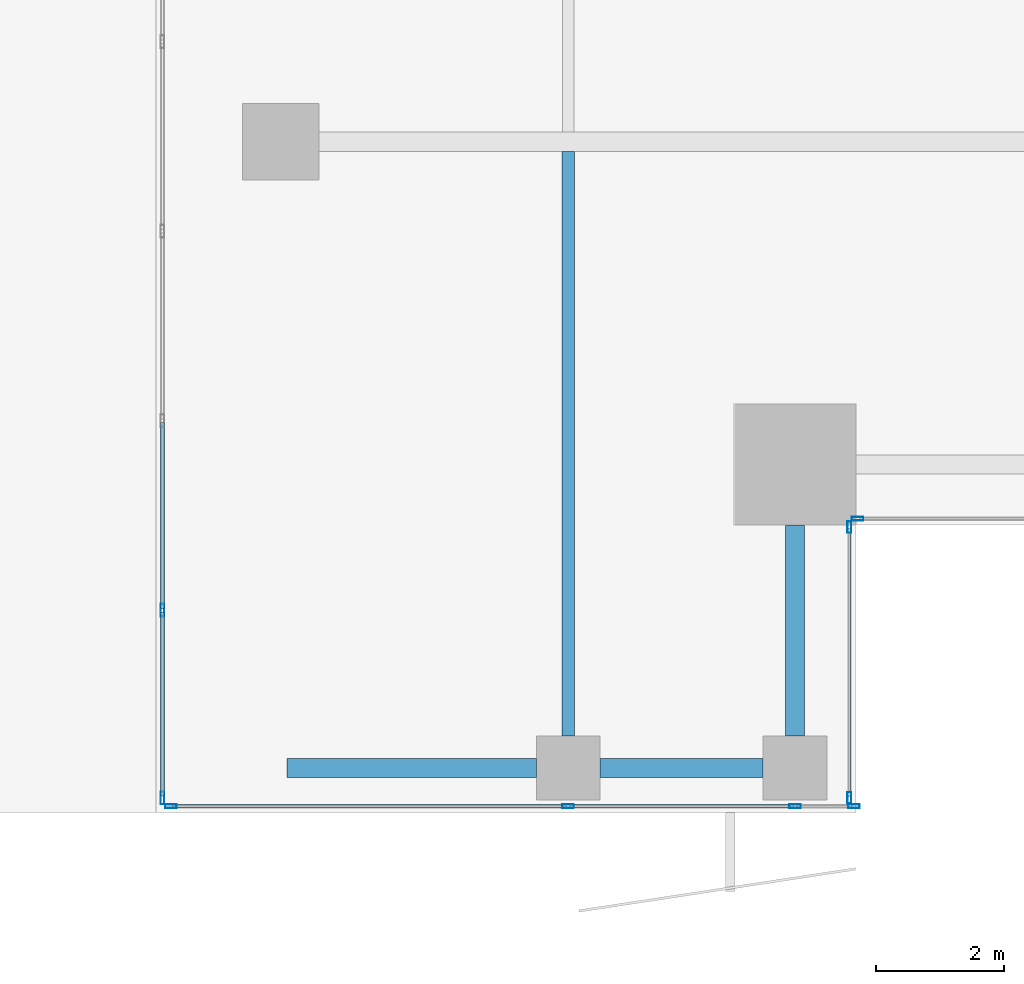
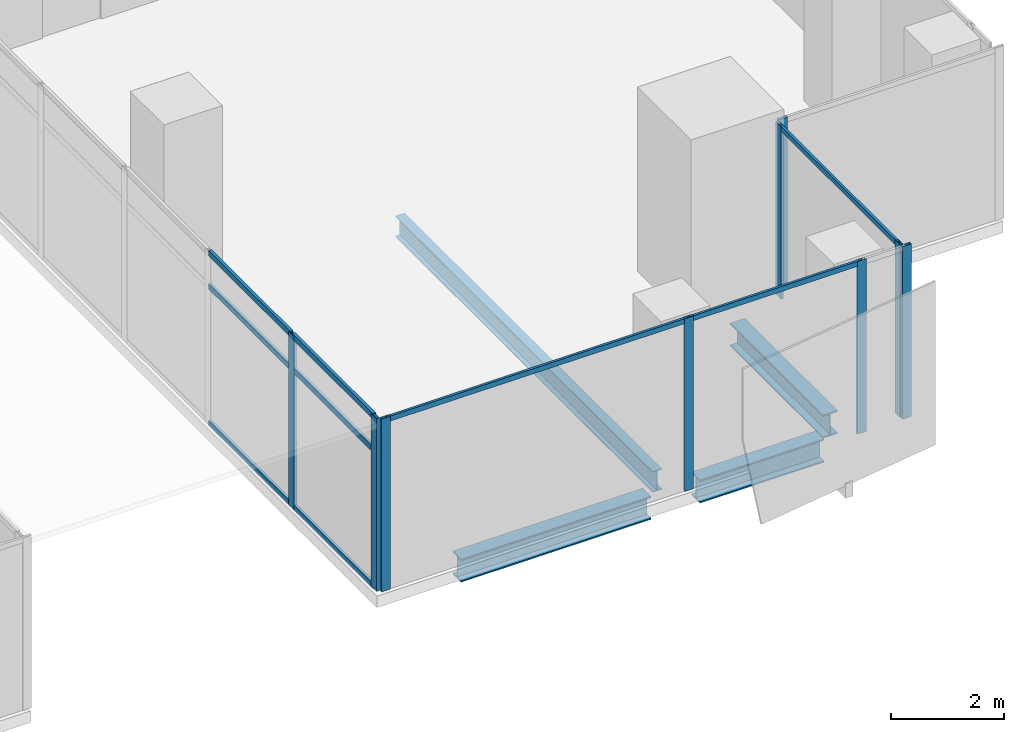
# One storey, part 9 of 40: 18 members, 4 beams, 4 elements without a shape of their own.
"""IFC4 building model written with IfcOpenShell, lengths in metres."""

from ifc_helpers import new_model, si_unit, direction, frame, origin, origin_2d, place, context, subcontext, project, spatial, hollow_rectangle, i_section, extrude, source, transform, mapped, material, material_profile, profile_set, type_object, element, aggregate, save


model = new_model("IFC4")

# Units and contexts
model_context = context("Model", 3, precision=1e-05, world=origin(), true_north=direction((0.0, 1.0)))
body_context = subcontext(model_context, "Body", "Model", "MODEL_VIEW")
ifc_project = project(units=[si_unit("LENGTHUNIT", "METRE"), si_unit("AREAUNIT", "SQUARE_METRE"), si_unit("VOLUMEUNIT", "CUBIC_METRE"), si_unit("PLANEANGLEUNIT", "RADIAN"), si_unit("MASSUNIT", "GRAM", prefix="KILO")], contexts=[model_context])

# Site, building, storey
site_placement = place(None, origin())
site = spatial("IfcSite", under=ifc_project, at=site_placement, CompositionType="ELEMENT")
building_placement = place(site_placement, origin())
building = spatial("IfcBuilding", under=site, at=building_placement, Name="Khomas Fold Tower", CompositionType="ELEMENT")
storey_placement = place(building_placement, frame((0.0, 0.0, 184.699951171875)))
storey = spatial("IfcBuildingStorey", under=building, at=storey_placement, Name="L40", CompositionType="ELEMENT", Elevation=184.699951171875)

# Beams
ifc_material_1 = material(Name="Steel S355", Category="steel")
ifc_material_profile_1 = material_profile(ifc_material_1, i_section(OverallWidth=0.300048828125, OverallDepth=0.5, WebThickness=0.014404296875, FlangeThickness=0.028076171875, at=origin_2d()), Name="HE 500 B")
ifc_profile_set_1 = profile_set([ifc_material_profile_1], Name="Steel S355")
beam_type_1 = type_object("IfcBeamType", Name="HE 500 B spandrel SB3", PredefinedType="SPANDREL", material=ifc_profile_set_1)
shared_shape_1 = source(origin(), body_context, "Body", "SweptSolid", [
    extrude(i_section(OverallWidth=0.300048828125, OverallDepth=0.5, WebThickness=0.014404296875, FlangeThickness=0.028076171875, at=origin_2d()), origin(), (0.0, 0.0, 1.0), 2.550048828125),
])
beam_1_placement = place(storey_placement, frame((42.5, 3.699951171875, -0.5), z_axis=(1.0, 0.0, 0.0), x_axis=(0.0, 1.0, 0.0)))
element("IfcBeam", 1, at=beam_1_placement, inside=storey, type_object=beam_type_1, Name="SB3", PredefinedType="SPANDREL", context=body_context, shape_type="MappedRepresentation", body=[
    mapped(shared_shape_1, transform((0.0, 0.0, 0.0))),
])
shared_shape_2 = source(origin(), body_context, "Body", "SweptSolid", [
    extrude(i_section(OverallWidth=0.300048828125, OverallDepth=0.5, WebThickness=0.014404296875, FlangeThickness=0.028076171875, at=origin_2d()), origin(), (0.0, 0.0, 1.0), 3.89990234375),
])
beam_2_placement = place(storey_placement, frame((37.60009765625, 3.699951171875, -0.5), z_axis=(1.0, 0.0, 0.0), x_axis=(0.0, 1.0, 0.0)))
element("IfcBeam", 2, at=beam_2_placement, inside=storey, type_object=beam_type_1, Name="SB3", PredefinedType="SPANDREL", context=body_context, shape_type="MappedRepresentation", body=[
    mapped(shared_shape_2, transform((0.0, 0.0, 0.0))),
])
shared_shape_3 = source(origin(), body_context, "Body", "SweptSolid", [
    extrude(i_section(OverallWidth=0.300048828125, OverallDepth=0.5, WebThickness=0.014404296875, FlangeThickness=0.028076171875, at=origin_2d()), origin(), (0.0, 0.0, 1.0), 3.300048828125),
])
beam_3_placement = place(storey_placement, frame((45.550048828125, 4.199951171875, -0.5), z_axis=(0.0, 1.0, 0.0), x_axis=(-1.0, 0.0, 0.0)))
element("IfcBeam", 3, at=beam_3_placement, inside=storey, type_object=beam_type_1, Name="SB3", PredefinedType="SPANDREL", context=body_context, shape_type="MappedRepresentation", body=[
    mapped(shared_shape_3, transform((0.0, 0.0, 0.0))),
])
ifc_material_2 = material(Name="Steel S355", Category="steel")
ifc_material_profile_2 = material_profile(ifc_material_2, i_section(OverallWidth=0.18994140625, OverallDepth=0.449951171875, WebThickness=0.009521484375, FlangeThickness=0.0146484375, at=origin_2d()), Name="IPE 450")
ifc_profile_set_2 = profile_set([ifc_material_profile_2], Name="Steel S355")
beam_type_2 = type_object("IfcBeamType", Name="IPE 450 beam JB4", PredefinedType="BEAM", material=ifc_profile_set_2)
shared_shape_4 = source(origin(), body_context, "Body", "SweptSolid", [
    extrude(i_section(OverallWidth=0.18994140625, OverallDepth=0.449951171875, WebThickness=0.009521484375, FlangeThickness=0.0146484375, at=origin_2d()), origin(), (0.0, 0.0, 1.0), 9.150146484375),
])
beam_4_placement = place(storey_placement, frame((42.0, 4.199951171875, -0.474853515625), z_axis=(0.0, 1.0, 0.0), x_axis=(-1.0, 0.0, 0.0)))
element("IfcBeam", 4, at=beam_4_placement, inside=storey, type_object=beam_type_2, Name="JB4", PredefinedType="BEAM", context=body_context, shape_type="MappedRepresentation", body=[
    mapped(shared_shape_4, transform((0.0, 0.0, 0.0))),
])

# Curtain wall, members
ifc_material_3 = material(Name="Aluminium framed double glazing", Category="aluminium")
curtain_wall_type_1 = type_object("IfcCurtainWallType", Name="SK-Unitised clear-glass wall, office floors CW2", PredefinedType="NOTDEFINED", material=ifc_material_3)
curtain_wall_1_placement = place(storey_placement, origin())
curtain_wall_1 = element("IfcCurtainWall", 5, at=curtain_wall_1_placement, inside=storey, type_object=curtain_wall_type_1, Name="CW2 run L40 05-0", PredefinedType="NOTDEFINED")
ifc_material_4 = material(Name="Aluminium", Category="aluminium")
ifc_material_profile_3 = material_profile(ifc_material_4, hollow_rectangle(XDim=0.06005859375, YDim=0.179931640625, WallThickness=0.00390625, at=origin_2d()), Name="SK-Unitised clear-glass wall, office floors mullion CW2-M")
ifc_profile_set_3 = profile_set([ifc_material_profile_3], Name="Aluminium")
member_type_1 = type_object("IfcMemberType", Name="SK-Unitised clear-glass wall, office floors mullion CW2-M", PredefinedType="MULLION", material=ifc_profile_set_3)
shared_shape_5 = source(origin(), body_context, "Body", "SweptSolid", [
    extrude(hollow_rectangle(XDim=0.06005859375, YDim=0.179931640625, WallThickness=0.00390625, at=origin_2d()), origin(), (0.0, 0.0, 1.0), 3.75),
])
member_1_placement = place(storey_placement, frame((35.780029296875, 3.10009765625, 0.0), z_axis=(0.0, 0.0, 1.0), x_axis=(0.0, 1.0, 0.0)))
member_1 = element("IfcMember", 6, at=member_1_placement, type_object=member_type_1, Name="CW2 mullion 1", PredefinedType="MULLION", context=body_context, shape_type="MappedRepresentation", body=[
    mapped(shared_shape_5, transform((0.0, 0.0, 0.0))),
])
member_2_placement = place(storey_placement, frame((42.0, 3.10009765625, 0.0), z_axis=(0.0, 0.0, 1.0), x_axis=(0.0, 1.0, 0.0)))
member_2 = element("IfcMember", 7, at=member_2_placement, type_object=member_type_1, Name="CW2 mullion 2", PredefinedType="MULLION", context=body_context, shape_type="MappedRepresentation", body=[
    mapped(shared_shape_5, transform((0.0, 0.0, 0.0))),
])
member_3_placement = place(storey_placement, frame((45.550048828125, 3.10009765625, 0.0), z_axis=(0.0, 0.0, 1.0), x_axis=(0.0, 1.0, 0.0)))
member_3 = element("IfcMember", 8, at=member_3_placement, type_object=member_type_1, Name="CW2 mullion 3", PredefinedType="MULLION", context=body_context, shape_type="MappedRepresentation", body=[
    mapped(shared_shape_5, transform((0.0, 0.0, 0.0))),
])
member_4_placement = place(storey_placement, frame((46.469970703125, 3.10009765625, 0.0), z_axis=(0.0, 0.0, 1.0), x_axis=(0.0, 1.0, 0.0)))
member_4 = element("IfcMember", 9, at=member_4_placement, type_object=member_type_1, Name="CW2 mullion 4", PredefinedType="MULLION", context=body_context, shape_type="MappedRepresentation", body=[
    mapped(shared_shape_5, transform((0.0, 0.0, 0.0))),
])

curtain_wall_2_placement = place(storey_placement, origin())
curtain_wall_2 = element("IfcCurtainWall", 10, at=curtain_wall_2_placement, inside=storey, type_object=curtain_wall_type_1, Name="CW2 corner return L40 06", PredefinedType="NOTDEFINED")
member_5_placement = place(storey_placement, frame((46.39990234375, 3.22998046875, 0.0), z_axis=(0.0, 0.0, 1.0), x_axis=(-1.0, 0.0, 0.0)))
member_5 = element("IfcMember", 11, at=member_5_placement, type_object=member_type_1, Name="CW2 mullion 1", PredefinedType="MULLION", context=body_context, shape_type="MappedRepresentation", body=[
    mapped(shared_shape_5, transform((0.0, 0.0, 0.0))),
])
member_6_placement = place(storey_placement, frame((46.39990234375, 7.469970703125, 0.0), z_axis=(0.0, 0.0, 1.0), x_axis=(-1.0, 0.0, 0.0)))
member_6 = element("IfcMember", 12, at=member_6_placement, type_object=member_type_1, Name="CW2 mullion 2", PredefinedType="MULLION", context=body_context, shape_type="MappedRepresentation", body=[
    mapped(shared_shape_5, transform((0.0, 0.0, 0.0))),
])

# Curtain wall, member
curtain_wall_3_placement = place(storey_placement, origin())
curtain_wall_3 = element("IfcCurtainWall", 13, at=curtain_wall_3_placement, inside=storey, type_object=curtain_wall_type_1, Name="CW2 corner return L40 07", PredefinedType="NOTDEFINED")
member_7_placement = place(storey_placement, frame((46.530029296875, 7.60009765625, 0.0), z_axis=(0.0, 0.0, 1.0), x_axis=(0.0, 1.0, 0.0)))
member_7 = element("IfcMember", 14, at=member_7_placement, type_object=member_type_1, Name="CW2 mullion 1", PredefinedType="MULLION", context=body_context, shape_type="MappedRepresentation", body=[
    mapped(shared_shape_5, transform((0.0, 0.0, 0.0))),
])
aggregate(curtain_wall_3, [member_7])

# Member
ifc_material_5 = material(Name="Aluminium", Category="aluminium")
ifc_material_profile_4 = material_profile(ifc_material_5, hollow_rectangle(XDim=0.050048828125, YDim=0.110107421875, WallThickness=0.00390625, at=origin_2d()), Name="SK-Unitised clear-glass wall, office floors transom CW2-T")
ifc_profile_set_4 = profile_set([ifc_material_profile_4], Name="Aluminium")
member_type_2 = type_object("IfcMemberType", Name="SK-Unitised clear-glass wall, office floors transom CW2-T", PredefinedType="USERDEFINED", material=ifc_profile_set_4)
shared_shape_6 = source(origin(), body_context, "Body", "SweptSolid", [
    extrude(hollow_rectangle(XDim=0.050048828125, YDim=0.110107421875, WallThickness=0.00390625, at=origin_2d()), origin(), (0.0, 0.0, 1.0), 3.489990234375),
])
member_8_placement = place(storey_placement, frame((42.030029296875, 3.10009765625, 3.695068359375), z_axis=(1.0, 0.0, 0.0), x_axis=(0.0, 1.0, 0.0)))
member_8 = element("IfcMember", 15, at=member_8_placement, type_object=member_type_2, Name="CW2 transom 2", ObjectType="TRANSOM", PredefinedType="USERDEFINED", context=body_context, shape_type="MappedRepresentation", body=[
    mapped(shared_shape_6, transform((0.0, 0.0, 0.0))),
])

shared_shape_7 = source(origin(), body_context, "Body", "SweptSolid", [
    extrude(hollow_rectangle(XDim=0.050048828125, YDim=0.110107421875, WallThickness=0.00390625, at=origin_2d()), origin(), (0.0, 0.0, 1.0), 4.179931640625),
])
member_9_placement = place(storey_placement, frame((46.39990234375, 3.260009765625, 3.695068359375), z_axis=(0.0, 1.0, 0.0), x_axis=(-1.0, 0.0, 0.0)))
member_9 = element("IfcMember", 16, at=member_9_placement, type_object=member_type_2, Name="CW2 transom 1", ObjectType="TRANSOM", PredefinedType="USERDEFINED", context=body_context, shape_type="MappedRepresentation", body=[
    mapped(shared_shape_7, transform((0.0, 0.0, 0.0))),
])

aggregate(curtain_wall_2, [member_5, member_6, member_9])

shared_shape_8 = source(origin(), body_context, "Body", "SweptSolid", [
    extrude(hollow_rectangle(XDim=0.050048828125, YDim=0.110107421875, WallThickness=0.00390625, at=origin_2d()), origin(), (0.0, 0.0, 1.0), 6.159912109375),
])
member_10_placement = place(storey_placement, frame((35.81005859375, 3.10009765625, 3.695068359375), z_axis=(1.0, 0.0, 0.0), x_axis=(0.0, 1.0, 0.0)))
member_10 = element("IfcMember", 17, at=member_10_placement, type_object=member_type_2, Name="CW2 transom 1", ObjectType="TRANSOM", PredefinedType="USERDEFINED", context=body_context, shape_type="MappedRepresentation", body=[
    mapped(shared_shape_8, transform((0.0, 0.0, 0.0))),
])

aggregate(curtain_wall_1, [member_1, member_2, member_3, member_4, member_10, member_8])

# Curtain wall, members
ifc_material_6 = material(Name="Aluminium framed double glazing", Category="aluminium")
curtain_wall_type_2 = type_object("IfcCurtainWallType", Name="Notch glazing GN-CW", PredefinedType="NOTDEFINED", material=ifc_material_6)
curtain_wall_4_placement = place(storey_placement, origin())
curtain_wall_4 = element("IfcCurtainWall", 18, at=curtain_wall_4_placement, inside=storey, type_object=curtain_wall_type_2, Name="Notch glazing run", PredefinedType="NOTDEFINED")
ifc_material_7 = material(Name="Aluminium", Category="aluminium")
ifc_material_profile_5 = material_profile(ifc_material_7, hollow_rectangle(XDim=0.06005859375, YDim=0.1201171875, WallThickness=0.00390625, at=origin_2d()), Name="Notch glazing transom GN-CW-T")
ifc_profile_set_5 = profile_set([ifc_material_profile_5], Name="Aluminium")
member_type_3 = type_object("IfcMemberType", Name="Notch glazing transom GN-CW-T", PredefinedType="USERDEFINED", material=ifc_profile_set_5)
shared_shape_9 = source(origin(), body_context, "Body", "SweptSolid", [
    extrude(hollow_rectangle(XDim=0.06005859375, YDim=0.1201171875, WallThickness=0.00390625, at=origin_2d()), origin(), (0.0, 0.0, 1.0), 2.876708984375),
])
member_11_placement = place(storey_placement, frame((35.64990234375, 6.13671875, 0.030029296875), z_axis=(0.0, -1.0, 0.0), x_axis=(1.0, 0.0, 0.0)))
member_11 = element("IfcMember", 19, at=member_11_placement, type_object=member_type_3, Name="GN-CW transom 6.1", ObjectType="TRANSOM", PredefinedType="USERDEFINED", context=body_context, shape_type="MappedRepresentation", body=[
    mapped(shared_shape_9, transform((0.0, 0.0, 0.0))),
])
member_12_placement = place(storey_placement, frame((35.64990234375, 6.13671875, 3.0), z_axis=(0.0, -1.0, 0.0), x_axis=(1.0, 0.0, 0.0)))
member_12 = element("IfcMember", 20, at=member_12_placement, type_object=member_type_3, Name="GN-CW transom 6.2", ObjectType="TRANSOM", PredefinedType="USERDEFINED", context=body_context, shape_type="MappedRepresentation", body=[
    mapped(shared_shape_9, transform((0.0, 0.0, 0.0))),
])
member_13_placement = place(storey_placement, frame((35.64990234375, 6.13671875, 3.719970703125), z_axis=(0.0, -1.0, 0.0), x_axis=(1.0, 0.0, 0.0)))
member_13 = element("IfcMember", 21, at=member_13_placement, type_object=member_type_3, Name="GN-CW transom 6.3", ObjectType="TRANSOM", PredefinedType="USERDEFINED", context=body_context, shape_type="MappedRepresentation", body=[
    mapped(shared_shape_9, transform((0.0, 0.0, 0.0))),
])
shared_shape_10 = source(origin(), body_context, "Body", "SweptSolid", [
    extrude(hollow_rectangle(XDim=0.06005859375, YDim=0.1201171875, WallThickness=0.00390625, at=origin_2d()), origin(), (0.0, 0.0, 1.0), 2.906494140625),
])
member_14_placement = place(storey_placement, frame((35.64990234375, 9.103271484375, 0.030029296875), z_axis=(0.0, -1.0, 0.0), x_axis=(1.0, 0.0, 0.0)))
member_14 = element("IfcMember", 22, at=member_14_placement, type_object=member_type_3, Name="GN-CW transom 5.1", ObjectType="TRANSOM", PredefinedType="USERDEFINED", context=body_context, shape_type="MappedRepresentation", body=[
    mapped(shared_shape_10, transform((0.0, 0.0, 0.0))),
])
member_15_placement = place(storey_placement, frame((35.64990234375, 9.103271484375, 3.0), z_axis=(0.0, -1.0, 0.0), x_axis=(1.0, 0.0, 0.0)))
member_15 = element("IfcMember", 23, at=member_15_placement, type_object=member_type_3, Name="GN-CW transom 5.2", ObjectType="TRANSOM", PredefinedType="USERDEFINED", context=body_context, shape_type="MappedRepresentation", body=[
    mapped(shared_shape_10, transform((0.0, 0.0, 0.0))),
])
member_16_placement = place(storey_placement, frame((35.64990234375, 9.103271484375, 3.719970703125), z_axis=(0.0, -1.0, 0.0), x_axis=(1.0, 0.0, 0.0)))
member_16 = element("IfcMember", 24, at=member_16_placement, type_object=member_type_3, Name="GN-CW transom 5.3", ObjectType="TRANSOM", PredefinedType="USERDEFINED", context=body_context, shape_type="MappedRepresentation", body=[
    mapped(shared_shape_10, transform((0.0, 0.0, 0.0))),
])
ifc_material_8 = material(Name="Aluminium", Category="aluminium")
ifc_material_profile_6 = material_profile(ifc_material_8, hollow_rectangle(XDim=0.06005859375, YDim=0.199951171875, WallThickness=0.00390625, at=origin_2d()), Name="Notch glazing mullion GN-CW-M")
ifc_profile_set_6 = profile_set([ifc_material_profile_6], Name="Aluminium")
member_type_4 = type_object("IfcMemberType", Name="Notch glazing mullion GN-CW-M", PredefinedType="MULLION", material=ifc_profile_set_6)
shared_shape_11 = source(origin(), body_context, "Body", "SweptSolid", [
    extrude(hollow_rectangle(XDim=0.06005859375, YDim=0.199951171875, WallThickness=0.00390625, at=origin_2d()), origin(), (0.0, 0.0, 1.0), 3.75),
])
member_17_placement = place(storey_placement, frame((35.64990234375, 6.166748046875, 0.0), z_axis=(0.0, 0.0, 1.0), x_axis=(1.0, 0.0, 0.0)))
member_17 = element("IfcMember", 25, at=member_17_placement, type_object=member_type_4, Name="GN-CW mullion 6", PredefinedType="MULLION", context=body_context, shape_type="MappedRepresentation", body=[
    mapped(shared_shape_11, transform((0.0, 0.0, 0.0))),
])
member_18_placement = place(storey_placement, frame((35.64990234375, 3.22998046875, 0.0), z_axis=(0.0, 0.0, 1.0), x_axis=(1.0, 0.0, 0.0)))
member_18 = element("IfcMember", 26, at=member_18_placement, type_object=member_type_4, Name="GN-CW mullion 7", PredefinedType="MULLION", context=body_context, shape_type="MappedRepresentation", body=[
    mapped(shared_shape_11, transform((0.0, 0.0, 0.0))),
])
aggregate(curtain_wall_4, [member_17, member_18, member_14, member_15, member_16, member_11, member_12, member_13])

save(model, "model.ifc")
